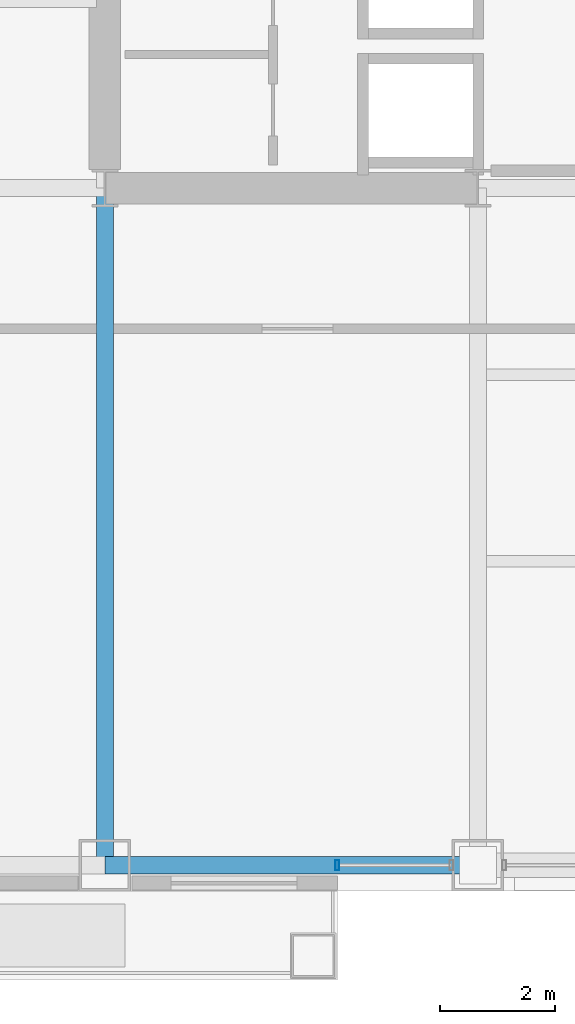
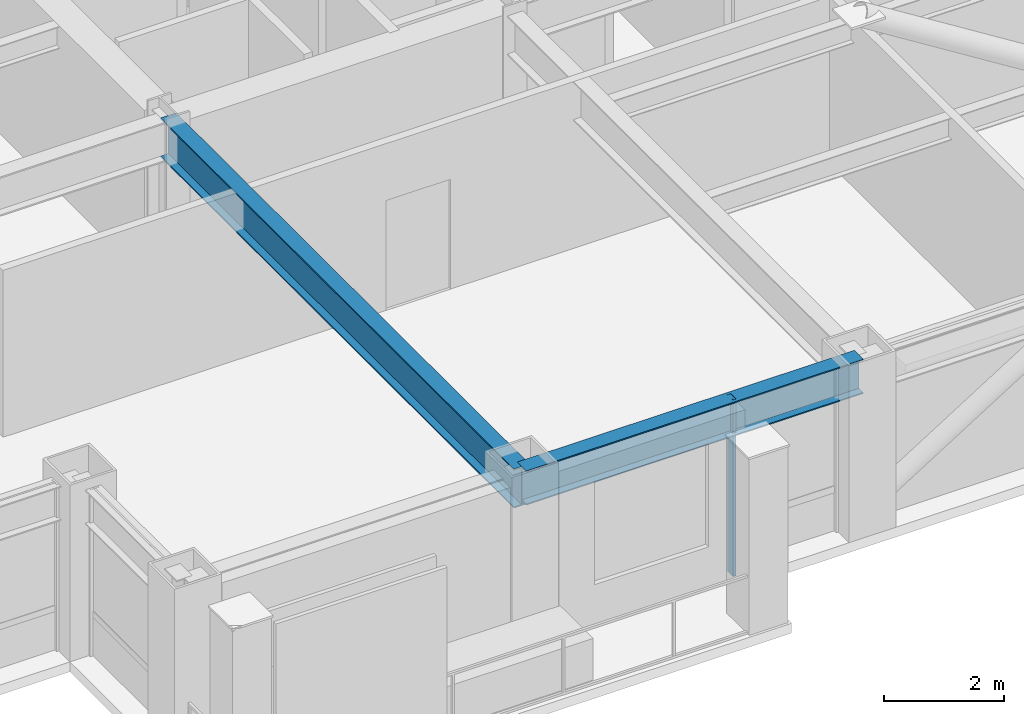
# One storey, part 3 of 29: 2 beams, 1 member, 1 element without a shape of its own.
"""IFC4 building model written with IfcOpenShell, lengths in metres."""

import ifcopenshell
import ifcopenshell.guid

model = None  # the IFC model being written
_history = None  # IfcOwnerHistory: only IFC2X3 demands one
_inside = {}  # id of a spatial element -> (the spatial element, [elements in it])
_under = {}  # id of a project, library or spatial element -> (it, [spatial elements below it])
_declared = {}  # id of a project -> (the project, [libraries it declares])
_typed = {}  # id of a type object -> (the type object, [elements of that type])
_made_of = {}  # id of a material, layer set ... -> (it, [elements and type objects made of it])


def new_model(schema):
    """Start an empty IFC model of exactly this schema.

    Asked for "IFC4X3", IfcOpenShell would pick the latest addendum, in which some entities
    have other attributes; the version numbers below select the first issue.
    IFC2X3 requires an IfcOwnerHistory on every rooted entity: one is made here for all.
    """
    global model, _history
    if schema == "IFC4X3":
        model = ifcopenshell.file(schema_version=(4, 3, 0, 0))
    else:
        model = ifcopenshell.file(schema=schema)
    _inside.clear()
    _under.clear()
    _declared.clear()
    _typed.clear()
    _made_of.clear()
    _history = None
    if model.schema == "IFC2X3":
        org = make("IfcOrganization", Name="unknown")
        user = make(
            "IfcPersonAndOrganization",
            ThePerson=make("IfcPerson", FamilyName="unknown"),
            TheOrganization=org,
        )
        app = make(
            "IfcApplication",
            ApplicationDeveloper=org,
            Version="unknown",
            ApplicationFullName="unknown",
            ApplicationIdentifier="unknown",
        )
        _history = make(
            "IfcOwnerHistory",
            OwningUser=user,
            OwningApplication=app,
            ChangeAction="ADDED",
            CreationDate=0,
        )
    return model


def make(cls, **values):
    """One entity of the class cls with the attributes given. An attribute that is None is left unset."""
    return model.create_entity(
        cls, **{name: value for name, value in values.items() if value is not None}
    )


def rooted(cls, **values):
    """An entity with a GlobalId (a new one), such as an element, a storey or a relation."""
    return make(cls, GlobalId=ifcopenshell.guid.new(), OwnerHistory=_history, **values)


def si_unit(unit_type, name, prefix=None):
    """IfcSIUnit, for example si_unit("LENGTHUNIT", "METRE", prefix="MILLI")."""
    return make("IfcSIUnit", UnitType=unit_type, Prefix=prefix, Name=name)


def assignment(units):
    """IfcUnitAssignment: the units of a project."""
    return None if units is None else make("IfcUnitAssignment", Units=units)


def point(xyz):
    """IfcCartesianPoint."""
    return None if xyz is None else make("IfcCartesianPoint", Coordinates=xyz)


def direction(xyz):
    """IfcDirection."""
    return None if xyz is None else make("IfcDirection", DirectionRatios=xyz)


def frame(location, z_axis=None, x_axis=None):
    """IfcAxis2Placement3D, a coordinate frame: its origin and axes. An axis left out is left unset."""
    return make(
        "IfcAxis2Placement3D",
        Location=point(location),
        Axis=direction(z_axis),
        RefDirection=direction(x_axis),
    )


def frame_2d(location, x_axis=None):
    """IfcAxis2Placement2D, a coordinate frame in the plane: its origin and x axis."""
    return make(
        "IfcAxis2Placement2D", Location=point(location), RefDirection=direction(x_axis)
    )


def origin():
    """The frame at (0, 0, 0) with its axes left unset."""
    return frame((0.0, 0.0, 0.0))


def origin_2d():
    """The frame at (0, 0) in the plane with its x axis left unset."""
    return frame_2d((0.0, 0.0))


def place(relative_to, where):
    """IfcLocalPlacement: puts the frame where relative to a parent placement (None: the world)."""
    return make(
        "IfcLocalPlacement", PlacementRelTo=relative_to, RelativePlacement=where
    )


def context(
    kind, dimensions, precision=None, world=None, true_north=None, identifier=None
):
    """IfcGeometricRepresentationContext, for example the 3D "Model" context."""
    return make(
        "IfcGeometricRepresentationContext",
        ContextIdentifier=identifier,
        ContextType=kind,
        CoordinateSpaceDimension=dimensions,
        Precision=precision,
        WorldCoordinateSystem=world,
        TrueNorth=true_north,
    )


def subcontext(parent, identifier, kind, view, scale=None):
    """IfcGeometricRepresentationSubContext, for example "Body" below "Model"."""
    return make(
        "IfcGeometricRepresentationSubContext",
        ContextIdentifier=identifier,
        ContextType=kind,
        ParentContext=parent,
        TargetScale=scale,
        TargetView=view,
    )


def project(units=None, contexts=None):
    """IfcProject with its units and contexts."""
    return rooted(
        "IfcProject",
        Name="project",
        RepresentationContexts=contexts,
        UnitsInContext=assignment(units),
    )


def spatial(cls, under=None, at=None, **own):
    """A site, building, storey or space (cls), placed at a placement, below another one or the project."""
    s = rooted(cls, ObjectPlacement=at, **own)
    if under is not None:
        _under.setdefault(under.id(), (under, []))[1].append(s)
    return s


def profile(cls, at=None, kind="AREA", **sizes):
    """A parametric profile (cls). Its sizes go by their IFC names, for example OverallWidth=200.0."""
    return make(cls, ProfileType=kind, Position=at, **sizes)


def hollow_rectangle(**sizes):
    """IfcRectangleHollowProfileDef."""
    return profile("IfcRectangleHollowProfileDef", **sizes)


def i_section(**sizes):
    """IfcIShapeProfileDef."""
    return profile("IfcIShapeProfileDef", **sizes)


def extrude(swept, where, along, depth):
    """IfcExtrudedAreaSolid: the profile swept, set in the frame where, extruded along a direction by depth."""
    return make(
        "IfcExtrudedAreaSolid",
        SweptArea=swept,
        Position=where,
        ExtrudedDirection=direction(along),
        Depth=depth,
    )


def shape(context_of_items, identifier, shape_type, items):
    """IfcShapeRepresentation: the items that make up one representation, for example the "Body"."""
    return make(
        "IfcShapeRepresentation",
        ContextOfItems=context_of_items,
        RepresentationIdentifier=identifier,
        RepresentationType=shape_type,
        Items=items,
    )


def material(Name=None, Category=None):
    """IfcMaterial."""
    return make("IfcMaterial", Name=Name, Category=Category)


def layer(
    of_material, thickness, ventilated=None, Name=None, Category=None, Priority=None
):
    """IfcMaterialLayer: one layer of a wall or slab, of a material (None: an air gap)."""
    return make(
        "IfcMaterialLayer",
        Material=of_material,
        LayerThickness=thickness,
        IsVentilated=ventilated,
        Name=Name,
        Category=Category,
        Priority=Priority,
    )


def layer_set(layers, Name=None):
    """IfcMaterialLayerSet."""
    return make("IfcMaterialLayerSet", MaterialLayers=layers, LayerSetName=Name)


def material_profile(
    of_material, cross_section, Name=None, Category=None, Priority=None
):
    """IfcMaterialProfile: a cross section and its material."""
    return make(
        "IfcMaterialProfile",
        Name=Name,
        Material=of_material,
        Profile=cross_section,
        Priority=Priority,
        Category=Category,
    )


def profile_set(profiles, Name=None, composite=None):
    """IfcMaterialProfileSet."""
    return make(
        "IfcMaterialProfileSet",
        Name=Name,
        MaterialProfiles=profiles,
        CompositeProfile=composite,
    )


def made_of(thing, what):
    """Note that an element or type object is made of a material, layer set ...; save() writes the relation."""
    if what is not None:
        _made_of.setdefault(what.id(), (what, []))[1].append(thing)
    return thing


def type_object(cls, material=None, **own):
    """A type object (cls), such as IfcWallType, which elements share."""
    return made_of(rooted(cls, **own), material)


def element(
    cls,
    number,
    at=None,
    inside=None,
    cuts=None,
    type_object=None,
    material=None,
    context=None,
    identifier="Body",
    shape_type=None,
    held_by="IfcProductDefinitionShape",
    body=None,
    shapes=None,
    **own,
):
    """One element of the class cls, such as IfcWall. Its Tag is "e" and its number.

    at: its placement. inside: the storey or other place that contains it. cuts: it is an
    opening in that element (IfcRelVoidsElement). A single representation is given by context,
    identifier, shape_type and body (its items); several are given by shapes. held_by: the class
    of the entity that holds the representations. save() writes the other relations.
    """
    e = rooted(cls, Tag="e%d" % number, ObjectPlacement=at, **own)
    if body is not None:
        shapes = [shape(context, identifier, shape_type, body)]
    if shapes is not None:
        e.Representation = make(held_by, Representations=shapes)
    if inside is not None:
        _inside.setdefault(inside.id(), (inside, []))[1].append(e)
    if cuts is not None:
        rooted(
            "IfcRelVoidsElement", RelatingBuildingElement=cuts, RelatedOpeningElement=e
        )
    if type_object is not None:
        _typed.setdefault(type_object.id(), (type_object, []))[1].append(e)
    return made_of(e, material)


def aggregate(whole, parts):
    """IfcRelAggregates: a whole, such as a stair, and the parts it consists of."""
    return rooted("IfcRelAggregates", RelatingObject=whole, RelatedObjects=parts)


def save(model, path):
    """Write the relations noted so far, then the file.

    IfcRelAggregates (storeys below a building ...), IfcRelContainedInSpatialStructure (elements
    in a storey), IfcRelDefinesByType, IfcRelAssociatesMaterial and IfcRelDeclares: one each for
    every whole, place, type object, material and project.
    """
    for whole, parts in _under.values():
        aggregate(whole, parts)
    for where, things in _inside.values():
        rooted(
            "IfcRelContainedInSpatialStructure",
            RelatedElements=things,
            RelatingStructure=where,
        )
    for kind, things in _typed.values():
        rooted("IfcRelDefinesByType", RelatedObjects=things, RelatingType=kind)
    for what, things in _made_of.values():
        rooted("IfcRelAssociatesMaterial", RelatedObjects=things, RelatingMaterial=what)
    for by, libraries in _declared.values():
        rooted("IfcRelDeclares", RelatingContext=by, RelatedDefinitions=libraries)
    model.write(path)


model = new_model("IFC4")

# Units and contexts
model_context = context("Model", 3, precision=1e-05, world=origin(), true_north=direction((0.0, 1.0)))
body_context = subcontext(model_context, "Body", "Model", "MODEL_VIEW")
ifc_project = project(units=[si_unit("LENGTHUNIT", "METRE"), si_unit("AREAUNIT", "SQUARE_METRE"), si_unit("VOLUMEUNIT", "CUBIC_METRE"), si_unit("PLANEANGLEUNIT", "RADIAN"), si_unit("MASSUNIT", "GRAM", prefix="KILO")], contexts=[model_context])

# Site, building, storey
site_placement = place(None, origin())
site = spatial("IfcSite", under=ifc_project, at=site_placement, CompositionType="ELEMENT")
building_placement = place(site_placement, origin())
building = spatial("IfcBuilding", under=site, at=building_placement, Name="Brelmoor Portico Tower", CompositionType="ELEMENT")
storey_placement = place(building_placement, frame((0.0, 0.0, 67.199951171875)))
storey = spatial("IfcBuildingStorey", under=building, at=storey_placement, Name="L17", CompositionType="ELEMENT", Elevation=67.199951171875)

# Beams
ifc_material_1 = material(Name="Steel Q355B", Category="steel")
ifc_material_profile_1 = material_profile(ifc_material_1, i_section(OverallWidth=0.300048828125, OverallDepth=0.800048828125, WebThickness=0.013916015625, FlangeThickness=0.02587890625, at=origin_2d()), Name="HN 800x300x14x26")
ifc_profile_set_1 = profile_set([ifc_material_profile_1], Name="Steel Q355B")
beam_type_1 = type_object("IfcBeamType", Name="BM-PG-800", PredefinedType="BEAM", material=ifc_profile_set_1)
beam_1_placement = place(storey_placement, frame((-14.550048828125, -21.550048828125, 3.0), z_axis=(0.0, 1.0, 0.0), x_axis=(-1.0, 0.0, 0.0)))
element("IfcBeam", 1, at=beam_1_placement, inside=storey, type_object=beam_type_1, Name="L17 Primary Floor Girder PG-03", PredefinedType="BEAM", context=body_context, shape_type="SweptSolid", body=[
    extrude(i_section(OverallWidth=0.300048828125, OverallDepth=0.800048828125, WebThickness=0.013916015625, FlangeThickness=0.02587890625, at=origin_2d()), origin(), (0.0, 0.0, 1.0), 11.800048828125),
])
ifc_material_profile_2 = material_profile(ifc_material_1, i_section(OverallWidth=0.300048828125, OverallDepth=0.699951171875, WebThickness=0.012939453125, FlangeThickness=0.02392578125, at=origin_2d()), Name="HN 700x300x13x24")
ifc_profile_set_2 = profile_set([ifc_material_profile_2], Name="Steel Q355B")
beam_type_2 = type_object("IfcBeamType", Name="BM-SP-700", PredefinedType="SPANDREL", material=ifc_profile_set_2)
beam_2_placement = place(storey_placement, frame((-14.550048828125, -21.550048828125, 3.050048828125), z_axis=(1.0, 0.0, 0.0), x_axis=(0.0, 1.0, 0.0)))
element("IfcBeam", 2, at=beam_2_placement, inside=storey, type_object=beam_type_2, Name="L17 Perimeter Spandrel Beam SP-02", PredefinedType="SPANDREL", context=body_context, shape_type="SweptSolid", body=[
    extrude(i_section(OverallWidth=0.300048828125, OverallDepth=0.699951171875, WebThickness=0.012939453125, FlangeThickness=0.02392578125, at=origin_2d()), origin(), (0.0, 0.0, 1.0), 6.5),
])

# Curtain wall, member
ifc_material_2 = material(Name="Anodised Aluminium Alloy 6063-T6", Category="aluminium")
ifc_layer = layer(ifc_material_2, 0.179931640625)
ifc_layer_set = layer_set([ifc_layer], Name="Anodised Aluminium Alloy 6063-T6")
curtain_wall_type = type_object("IfcCurtainWallType", Name="CW-TOWER-Z1", PredefinedType="NOTDEFINED", material=ifc_layer_set)
curtain_wall_placement = place(storey_placement, origin())
curtain_wall = element("IfcCurtainWall", 3, at=curtain_wall_placement, inside=storey, type_object=curtain_wall_type, Name="L17 Curtain Wall CW-L17-1R-1", PredefinedType="NOTDEFINED")
ifc_material_profile_3 = material_profile(ifc_material_2, hollow_rectangle(XDim=0.06494140625, YDim=0.179931640625, WallThickness=0.00390625, at=origin_2d()), Name="ALU MULLION 65x180")
ifc_profile_set_3 = profile_set([ifc_material_profile_3], Name="Anodised Aluminium Alloy 6063-T6")
member_type = type_object("IfcMemberType", Name="MB-CW-MULL-180", PredefinedType="MULLION", material=ifc_profile_set_3)
member_placement = place(storey_placement, frame((-10.5, -21.550048828125, -0.199951171875), z_axis=(0.0, 0.0, 1.0), x_axis=(1.0, 0.0, 0.0)))
member = element("IfcMember", 4, at=member_placement, type_object=member_type, Name="CW-L17-1R-1 Mullion 00", PredefinedType="MULLION", context=body_context, shape_type="SweptSolid", body=[
    extrude(hollow_rectangle(XDim=0.06494140625, YDim=0.179931640625, WallThickness=0.00390625, at=origin_2d()), origin(), (0.0, 0.0, 1.0), 3.60009765625),
])
aggregate(curtain_wall, [member])

save(model, "model.ifc")
